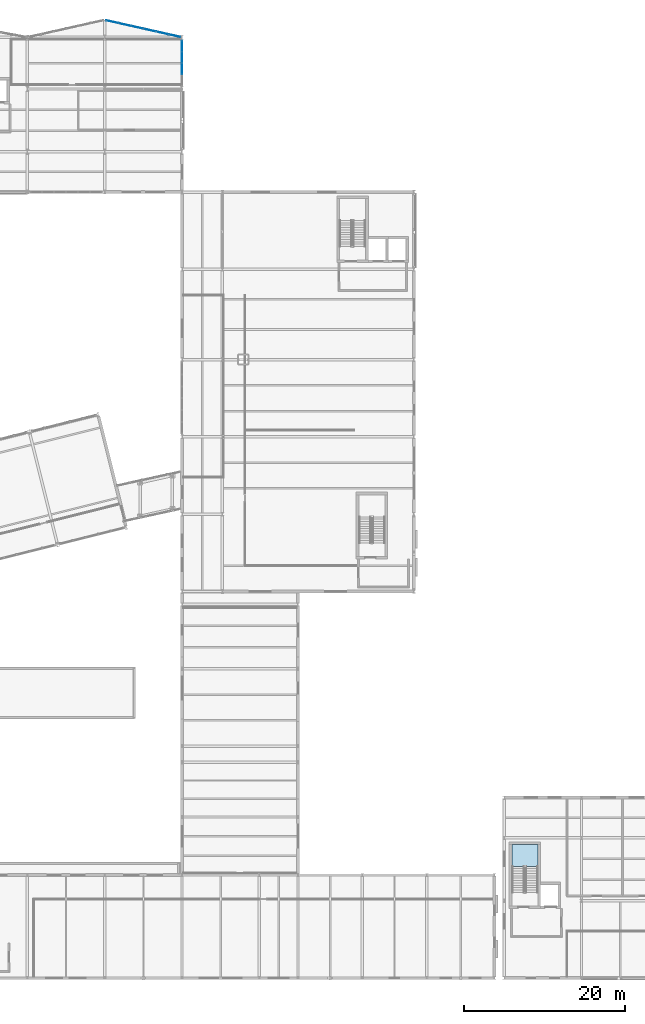
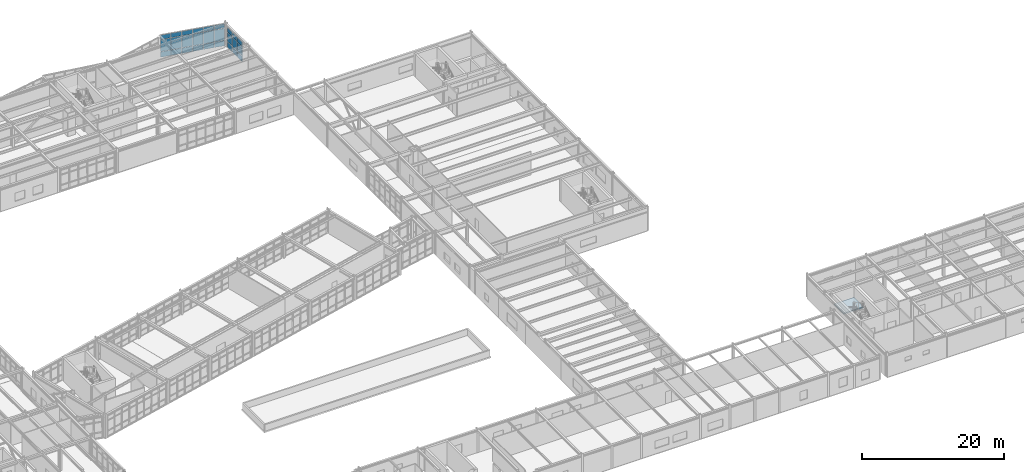
# One storey, part 71 of 99: 27 plates, 1 slab, 3 elements without a shape of their own.
"""IFC4 building model written with IfcOpenShell, lengths in metres."""

from ifc_helpers import new_model, si_unit, direction, frame, origin, origin_2d, place, context, subcontext, project, spatial, polyline, rectangle, outline, extrude, material, layer, layer_set, type_object, element, aggregate, save


model = new_model("IFC4")

# Units and contexts
model_context = context("Model", 3, precision=1e-05, world=origin(), true_north=direction((0.0, 1.0)))
body_context = subcontext(model_context, "Body", "Model", "MODEL_VIEW")
ifc_project = project(units=[si_unit("LENGTHUNIT", "METRE"), si_unit("AREAUNIT", "SQUARE_METRE"), si_unit("VOLUMEUNIT", "CUBIC_METRE"), si_unit("PLANEANGLEUNIT", "RADIAN"), si_unit("MASSUNIT", "GRAM", prefix="KILO")], contexts=[model_context])

# Site, building, storey
site_placement = place(None, origin())
site = spatial("IfcSite", under=ifc_project, at=site_placement, CompositionType="ELEMENT")
building_placement = place(site_placement, origin())
building = spatial("IfcBuilding", under=site, at=building_placement, Name="Nordkorset Police Headquarters", CompositionType="ELEMENT")
storey_placement = place(building_placement, frame((0.0, 0.0, 5.25)))
storey = spatial("IfcBuildingStorey", under=building, at=storey_placement, Name="L01", CompositionType="ELEMENT", Elevation=5.25)

# Curtain wall, plates
ifc_material_1 = material(Name="Aluminium alloy AW-6060", Category="aluminium")
ifc_layer_1 = layer(ifc_material_1, 0.179931640625, Name="Aluminium alloy AW-6060")
ifc_layer_set_1 = layer_set([ifc_layer_1], Name="Aluminium alloy AW-6060")
curtain_wall_type_1 = type_object("IfcCurtainWallType", Name="CW_Unit_956x392", PredefinedType="USERDEFINED", material=ifc_layer_set_1)
curtain_wall_1_placement = place(storey_placement, origin())
curtain_wall_1 = element("IfcCurtainWall", 1, at=curtain_wall_1_placement, inside=storey, type_object=curtain_wall_type_1, Name="Unitised Curtain Wall L01 V2N-5", ObjectType="UNITISED CURTAIN WALL", PredefinedType="USERDEFINED")
ifc_material_2 = material(Name="Low-iron triple glazing", Category="glass")
ifc_layer_2 = layer(ifc_material_2, 0.035888671875, Name="Low-iron triple glazing")
ifc_layer_set_2 = layer_set([ifc_layer_2], Name="Low-iron triple glazing")
plate_type = type_object("IfcPlateType", Name="CW_Panel_TripleGlazing_36", PredefinedType="CURTAIN_PANEL", material=ifc_layer_set_2)
plate_1_placement = place(storey_placement, frame((77.729736328125, 118.74169921875, 0.06494140625), z_axis=(0.0, 0.0, 1.0), x_axis=(0.975827090814, -0.218544020358, 0.0)))
plate_1 = element("IfcPlate", 2, at=plate_1_placement, type_object=plate_type, Name="CW-41 panel 1.1", PredefinedType="CURTAIN_PANEL", context=body_context, shape_type="SweptSolid", body=[
    extrude(rectangle(XDim=1.495361328125, YDim=0.035888671875, at=origin_2d()), origin(), (0.0, 0.0, 1.0), 0.902587890625),
])
plate_2_placement = place(storey_placement, frame((77.729736328125, 118.74169921875, 1.032470703125), z_axis=(0.0, 0.0, 1.0), x_axis=(0.975827090814, -0.218544020358, 0.0)))
plate_2 = element("IfcPlate", 3, at=plate_2_placement, type_object=plate_type, Name="CW-41 panel 1.2", PredefinedType="CURTAIN_PANEL", context=body_context, shape_type="SweptSolid", body=[
    extrude(rectangle(XDim=1.495361328125, YDim=0.035888671875, at=origin_2d()), origin(), (0.0, 0.0, 1.0), 2.0048828125),
])
plate_3_placement = place(storey_placement, frame((77.729736328125, 118.74169921875, 3.1025390625), z_axis=(0.0, 0.0, 1.0), x_axis=(0.975827090814, -0.218544020358, 0.0)))
plate_3 = element("IfcPlate", 4, at=plate_3_placement, type_object=plate_type, Name="CW-41 panel 1.3", PredefinedType="CURTAIN_PANEL", context=body_context, shape_type="SweptSolid", body=[
    extrude(rectangle(XDim=1.495361328125, YDim=0.035888671875, at=origin_2d()), origin(), (0.0, 0.0, 1.0), 0.75244140625),
])
plate_4_placement = place(storey_placement, frame((79.268310546875, 118.397216796875, 0.06494140625), z_axis=(0.0, 0.0, 1.0), x_axis=(0.975827090814, -0.218544020358, 0.0)))
plate_4 = element("IfcPlate", 5, at=plate_4_placement, type_object=plate_type, Name="CW-41 panel 2.1", PredefinedType="CURTAIN_PANEL", context=body_context, shape_type="SweptSolid", body=[
    extrude(rectangle(XDim=1.528076171875, YDim=0.035888671875, at=origin_2d()), origin(), (0.0, 0.0, 1.0), 0.902587890625),
])
plate_5_placement = place(storey_placement, frame((79.268310546875, 118.397216796875, 1.032470703125), z_axis=(0.0, 0.0, 1.0), x_axis=(0.975827090814, -0.218544020358, 0.0)))
plate_5 = element("IfcPlate", 6, at=plate_5_placement, type_object=plate_type, Name="CW-41 panel 2.2", PredefinedType="CURTAIN_PANEL", context=body_context, shape_type="SweptSolid", body=[
    extrude(rectangle(XDim=1.528076171875, YDim=0.035888671875, at=origin_2d()), origin(), (0.0, 0.0, 1.0), 2.0048828125),
])
plate_6_placement = place(storey_placement, frame((79.268310546875, 118.397216796875, 3.1025390625), z_axis=(0.0, 0.0, 1.0), x_axis=(0.975827090814, -0.218544020358, 0.0)))
plate_6 = element("IfcPlate", 7, at=plate_6_placement, type_object=plate_type, Name="CW-41 panel 2.3", PredefinedType="CURTAIN_PANEL", context=body_context, shape_type="SweptSolid", body=[
    extrude(rectangle(XDim=1.528076171875, YDim=0.035888671875, at=origin_2d()), origin(), (0.0, 0.0, 1.0), 0.75244140625),
])
plate_7_placement = place(storey_placement, frame((80.82275390625, 118.049072265625, 0.06494140625), z_axis=(0.0, 0.0, 1.0), x_axis=(0.975827090814, -0.218544020358, 0.0)))
plate_7 = element("IfcPlate", 8, at=plate_7_placement, type_object=plate_type, Name="CW-41 panel 3.1", PredefinedType="CURTAIN_PANEL", context=body_context, shape_type="SweptSolid", body=[
    extrude(rectangle(XDim=1.528076171875, YDim=0.035888671875, at=origin_2d()), origin(), (0.0, 0.0, 1.0), 0.902587890625),
])
plate_8_placement = place(storey_placement, frame((80.82275390625, 118.049072265625, 1.032470703125), z_axis=(0.0, 0.0, 1.0), x_axis=(0.975827090814, -0.218544020358, 0.0)))
plate_8 = element("IfcPlate", 9, at=plate_8_placement, type_object=plate_type, Name="CW-41 panel 3.2", PredefinedType="CURTAIN_PANEL", context=body_context, shape_type="SweptSolid", body=[
    extrude(rectangle(XDim=1.528076171875, YDim=0.035888671875, at=origin_2d()), origin(), (0.0, 0.0, 1.0), 2.0048828125),
])
plate_9_placement = place(storey_placement, frame((80.82275390625, 118.049072265625, 3.1025390625), z_axis=(0.0, 0.0, 1.0), x_axis=(0.975827090814, -0.218544020358, 0.0)))
plate_9 = element("IfcPlate", 10, at=plate_9_placement, type_object=plate_type, Name="CW-41 panel 3.3", PredefinedType="CURTAIN_PANEL", context=body_context, shape_type="SweptSolid", body=[
    extrude(rectangle(XDim=1.528076171875, YDim=0.035888671875, at=origin_2d()), origin(), (0.0, 0.0, 1.0), 0.75244140625),
])
plate_10_placement = place(storey_placement, frame((82.377197265625, 117.700927734375, 0.06494140625), z_axis=(0.0, 0.0, 1.0), x_axis=(0.975827090814, -0.218544020358, 0.0)))
plate_10 = element("IfcPlate", 11, at=plate_10_placement, type_object=plate_type, Name="CW-41 panel 4.1", PredefinedType="CURTAIN_PANEL", context=body_context, shape_type="SweptSolid", body=[
    extrude(rectangle(XDim=1.528076171875, YDim=0.035888671875, at=origin_2d()), origin(), (0.0, 0.0, 1.0), 0.902587890625),
])
plate_11_placement = place(storey_placement, frame((82.377197265625, 117.700927734375, 1.032470703125), z_axis=(0.0, 0.0, 1.0), x_axis=(0.975827090814, -0.218544020358, 0.0)))
plate_11 = element("IfcPlate", 12, at=plate_11_placement, type_object=plate_type, Name="CW-41 panel 4.2", PredefinedType="CURTAIN_PANEL", context=body_context, shape_type="SweptSolid", body=[
    extrude(rectangle(XDim=1.528076171875, YDim=0.035888671875, at=origin_2d()), origin(), (0.0, 0.0, 1.0), 2.0048828125),
])
plate_12_placement = place(storey_placement, frame((82.377197265625, 117.700927734375, 3.1025390625), z_axis=(0.0, 0.0, 1.0), x_axis=(0.975827090814, -0.218544020358, 0.0)))
plate_12 = element("IfcPlate", 13, at=plate_12_placement, type_object=plate_type, Name="CW-41 panel 4.3", PredefinedType="CURTAIN_PANEL", context=body_context, shape_type="SweptSolid", body=[
    extrude(rectangle(XDim=1.528076171875, YDim=0.035888671875, at=origin_2d()), origin(), (0.0, 0.0, 1.0), 0.75244140625),
])
plate_13_placement = place(storey_placement, frame((83.931640625, 117.352783203125, 0.06494140625), z_axis=(0.0, 0.0, 1.0), x_axis=(0.975827090814, -0.218544020358, 0.0)))
plate_13 = element("IfcPlate", 14, at=plate_13_placement, type_object=plate_type, Name="CW-41 panel 5.1", PredefinedType="CURTAIN_PANEL", context=body_context, shape_type="SweptSolid", body=[
    extrude(rectangle(XDim=1.528076171875, YDim=0.035888671875, at=origin_2d()), origin(), (0.0, 0.0, 1.0), 0.902587890625),
])
plate_14_placement = place(storey_placement, frame((83.931640625, 117.352783203125, 1.032470703125), z_axis=(0.0, 0.0, 1.0), x_axis=(0.975827090814, -0.218544020358, 0.0)))
plate_14 = element("IfcPlate", 15, at=plate_14_placement, type_object=plate_type, Name="CW-41 panel 5.2", PredefinedType="CURTAIN_PANEL", context=body_context, shape_type="SweptSolid", body=[
    extrude(rectangle(XDim=1.528076171875, YDim=0.035888671875, at=origin_2d()), origin(), (0.0, 0.0, 1.0), 2.0048828125),
])
plate_15_placement = place(storey_placement, frame((83.931640625, 117.352783203125, 3.1025390625), z_axis=(0.0, 0.0, 1.0), x_axis=(0.975827090814, -0.218544020358, 0.0)))
plate_15 = element("IfcPlate", 16, at=plate_15_placement, type_object=plate_type, Name="CW-41 panel 5.3", PredefinedType="CURTAIN_PANEL", context=body_context, shape_type="SweptSolid", body=[
    extrude(rectangle(XDim=1.528076171875, YDim=0.035888671875, at=origin_2d()), origin(), (0.0, 0.0, 1.0), 0.75244140625),
])
plate_16_placement = place(storey_placement, frame((85.47021484375, 117.00830078125, 0.06494140625), z_axis=(0.0, 0.0, 1.0), x_axis=(0.975827090814, -0.218544020358, 0.0)))
plate_16 = element("IfcPlate", 17, at=plate_16_placement, type_object=plate_type, Name="CW-41 panel 6.1", PredefinedType="CURTAIN_PANEL", context=body_context, shape_type="SweptSolid", body=[
    extrude(rectangle(XDim=1.495361328125, YDim=0.035888671875, at=origin_2d()), origin(), (0.0, 0.0, 1.0), 0.902587890625),
])
plate_17_placement = place(storey_placement, frame((85.47021484375, 117.00830078125, 1.032470703125), z_axis=(0.0, 0.0, 1.0), x_axis=(0.975827090814, -0.218544020358, 0.0)))
plate_17 = element("IfcPlate", 18, at=plate_17_placement, type_object=plate_type, Name="CW-41 panel 6.2", PredefinedType="CURTAIN_PANEL", context=body_context, shape_type="SweptSolid", body=[
    extrude(rectangle(XDim=1.495361328125, YDim=0.035888671875, at=origin_2d()), origin(), (0.0, 0.0, 1.0), 2.0048828125),
])
plate_18_placement = place(storey_placement, frame((85.47021484375, 117.00830078125, 3.1025390625), z_axis=(0.0, 0.0, 1.0), x_axis=(0.975827090814, -0.218544020358, 0.0)))
plate_18 = element("IfcPlate", 19, at=plate_18_placement, type_object=plate_type, Name="CW-41 panel 6.3", PredefinedType="CURTAIN_PANEL", context=body_context, shape_type="SweptSolid", body=[
    extrude(rectangle(XDim=1.495361328125, YDim=0.035888671875, at=origin_2d()), origin(), (0.0, 0.0, 1.0), 0.75244140625),
])
aggregate(curtain_wall_1, [plate_1, plate_2, plate_3, plate_4, plate_5, plate_6, plate_7, plate_8, plate_9, plate_10, plate_11, plate_12, plate_13, plate_14, plate_15, plate_16, plate_17, plate_18])

ifc_material_3 = material(Name="Aluminium alloy AW-6060", Category="aluminium")
ifc_layer_3 = layer(ifc_material_3, 0.179931640625, Name="Aluminium alloy AW-6060")
ifc_layer_set_3 = layer_set([ifc_layer_3], Name="Aluminium alloy AW-6060")
curtain_wall_type_2 = type_object("IfcCurtainWallType", Name="CW_Unit_568x350", PredefinedType="USERDEFINED", material=ifc_layer_set_3)
curtain_wall_2_placement = place(storey_placement, origin())
curtain_wall_2 = element("IfcCurtainWall", 20, at=curtain_wall_2_placement, inside=storey, type_object=curtain_wall_type_2, Name="Unitised Curtain Wall L01 V2E-1", ObjectType="UNITISED CURTAIN WALL", PredefinedType="USERDEFINED")
plate_19_placement = place(storey_placement, frame((86.39990234375, 112.889892578125, 0.06494140625), z_axis=(0.0, 0.0, 1.0), x_axis=(0.0, 1.0, 0.0)))
plate_19 = element("IfcPlate", 21, at=plate_19_placement, type_object=plate_type, Name="CW-23 panel 2.1", PredefinedType="CURTAIN_PANEL", context=body_context, shape_type="SweptSolid", body=[
    extrude(rectangle(XDim=1.35498046875, YDim=0.035888671875, at=origin_2d()), origin(), (0.0, 0.0, 1.0), 0.902587890625),
])
plate_20_placement = place(storey_placement, frame((86.39990234375, 112.889892578125, 1.032470703125), z_axis=(0.0, 0.0, 1.0), x_axis=(0.0, 1.0, 0.0)))
plate_20 = element("IfcPlate", 22, at=plate_20_placement, type_object=plate_type, Name="CW-23 panel 2.2", PredefinedType="CURTAIN_PANEL", context=body_context, shape_type="SweptSolid", body=[
    extrude(rectangle(XDim=1.35498046875, YDim=0.035888671875, at=origin_2d()), origin(), (0.0, 0.0, 1.0), 1.5849609375),
])
plate_21_placement = place(storey_placement, frame((86.39990234375, 112.889892578125, 2.6826171875), z_axis=(0.0, 0.0, 1.0), x_axis=(0.0, 1.0, 0.0)))
plate_21 = element("IfcPlate", 23, at=plate_21_placement, type_object=plate_type, Name="CW-23 panel 2.3", PredefinedType="CURTAIN_PANEL", context=body_context, shape_type="SweptSolid", body=[
    extrude(rectangle(XDim=1.35498046875, YDim=0.035888671875, at=origin_2d()), origin(), (0.0, 0.0, 1.0), 0.75244140625),
])
plate_22_placement = place(storey_placement, frame((86.39990234375, 114.31005859375, 0.06494140625), z_axis=(0.0, 0.0, 1.0), x_axis=(0.0, 1.0, 0.0)))
plate_22 = element("IfcPlate", 24, at=plate_22_placement, type_object=plate_type, Name="CW-23 panel 3.1", PredefinedType="CURTAIN_PANEL", context=body_context, shape_type="SweptSolid", body=[
    extrude(rectangle(XDim=1.35498046875, YDim=0.035888671875, at=origin_2d()), origin(), (0.0, 0.0, 1.0), 0.902587890625),
])
plate_23_placement = place(storey_placement, frame((86.39990234375, 114.31005859375, 1.032470703125), z_axis=(0.0, 0.0, 1.0), x_axis=(0.0, 1.0, 0.0)))
plate_23 = element("IfcPlate", 25, at=plate_23_placement, type_object=plate_type, Name="CW-23 panel 3.2", PredefinedType="CURTAIN_PANEL", context=body_context, shape_type="SweptSolid", body=[
    extrude(rectangle(XDim=1.35498046875, YDim=0.035888671875, at=origin_2d()), origin(), (0.0, 0.0, 1.0), 1.5849609375),
])
plate_24_placement = place(storey_placement, frame((86.39990234375, 114.31005859375, 2.6826171875), z_axis=(0.0, 0.0, 1.0), x_axis=(0.0, 1.0, 0.0)))
plate_24 = element("IfcPlate", 26, at=plate_24_placement, type_object=plate_type, Name="CW-23 panel 3.3", PredefinedType="CURTAIN_PANEL", context=body_context, shape_type="SweptSolid", body=[
    extrude(rectangle(XDim=1.35498046875, YDim=0.035888671875, at=origin_2d()), origin(), (0.0, 0.0, 1.0), 0.75244140625),
])
plate_25_placement = place(storey_placement, frame((86.39990234375, 115.7138671875, 0.06494140625), z_axis=(0.0, 0.0, 1.0), x_axis=(0.0, 1.0, 0.0)))
plate_25 = element("IfcPlate", 27, at=plate_25_placement, type_object=plate_type, Name="CW-23 panel 4.1", PredefinedType="CURTAIN_PANEL", context=body_context, shape_type="SweptSolid", body=[
    extrude(rectangle(XDim=1.322509765625, YDim=0.035888671875, at=origin_2d()), origin(), (0.0, 0.0, 1.0), 0.902587890625),
])
plate_26_placement = place(storey_placement, frame((86.39990234375, 115.7138671875, 1.032470703125), z_axis=(0.0, 0.0, 1.0), x_axis=(0.0, 1.0, 0.0)))
plate_26 = element("IfcPlate", 28, at=plate_26_placement, type_object=plate_type, Name="CW-23 panel 4.2", PredefinedType="CURTAIN_PANEL", context=body_context, shape_type="SweptSolid", body=[
    extrude(rectangle(XDim=1.322509765625, YDim=0.035888671875, at=origin_2d()), origin(), (0.0, 0.0, 1.0), 1.5849609375),
])
plate_27_placement = place(storey_placement, frame((86.39990234375, 115.7138671875, 2.6826171875), z_axis=(0.0, 0.0, 1.0), x_axis=(0.0, 1.0, 0.0)))
plate_27 = element("IfcPlate", 29, at=plate_27_placement, type_object=plate_type, Name="CW-23 panel 4.3", PredefinedType="CURTAIN_PANEL", context=body_context, shape_type="SweptSolid", body=[
    extrude(rectangle(XDim=1.322509765625, YDim=0.035888671875, at=origin_2d()), origin(), (0.0, 0.0, 1.0), 0.75244140625),
])
aggregate(curtain_wall_2, [plate_19, plate_20, plate_21, plate_22, plate_23, plate_24, plate_25, plate_26, plate_27])

# Stair, slab
ifc_material_4 = material(Name="Concrete C35/45", Category="concrete")
stair_type = type_object("IfcStairType", Name="ST-42", PredefinedType="HALF_TURN_STAIR", material=ifc_material_4)
stair_placement = place(storey_placement, origin())
stair = element("IfcStair", 30, at=stair_placement, inside=storey, type_object=stair_type, Name="L01 Protected Escape Stair ST-06", PredefinedType="HALF_TURN_STAIR")
ifc_material_5 = material(Name="Concrete C35/45", Category="concrete")
ifc_layer_4 = layer(ifc_material_5, 0.199951171875, Name="Concrete C35/45")
ifc_layer_set_4 = layer_set([ifc_layer_4], Name="Concrete C35/45")
slab_type = type_object("IfcSlabType", Name="Slab_StairLanding_200", PredefinedType="LANDING", material=ifc_layer_set_4)
slab_placement = place(storey_placement, frame((0.0, 0.0, 1.89990234375)))
slab = element("IfcSlab", 31, at=slab_placement, type_object=slab_type, Name="ST-06 landing 1", PredefinedType="LANDING", context=body_context, shape_type="SweptSolid", body=[
    extrude(outline(polyline([(130.574951171875, 13.8701171875), (130.574951171875, 16.574951171875), (127.375, 16.574951171875), (127.375, 13.8701171875), (130.574951171875, 13.8701171875)])), origin(), (0.0, 0.0, 1.0), 0.2001953125),
])
aggregate(stair, [slab])

save(model, "model.ifc")
